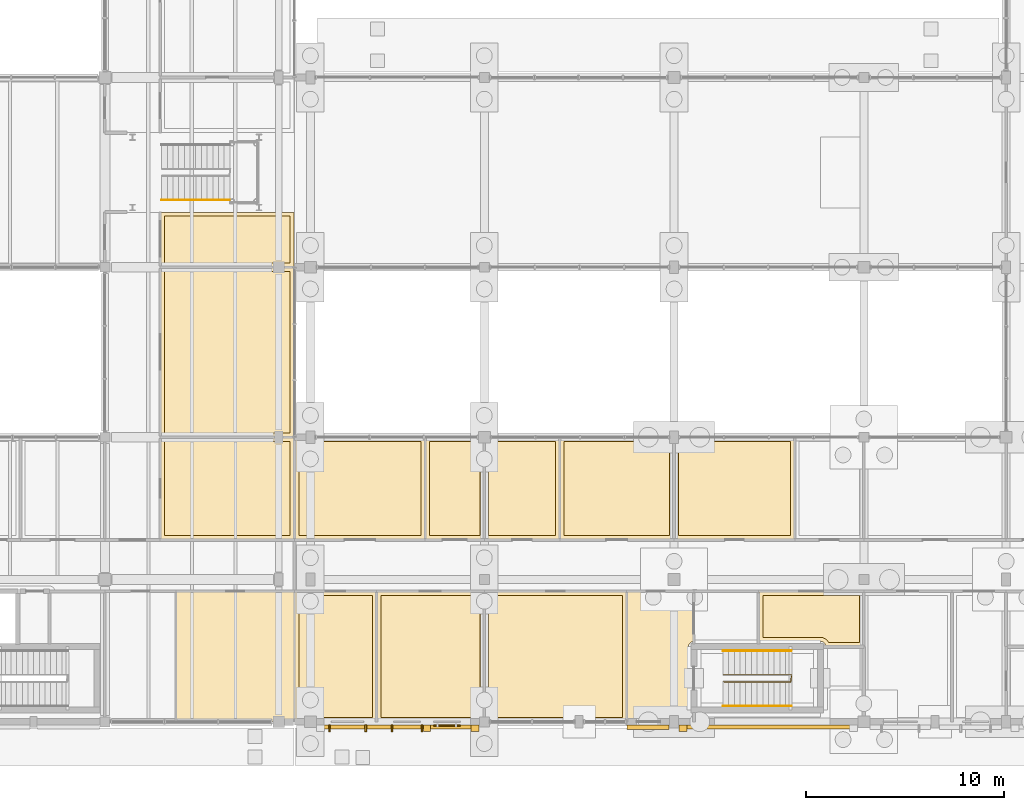
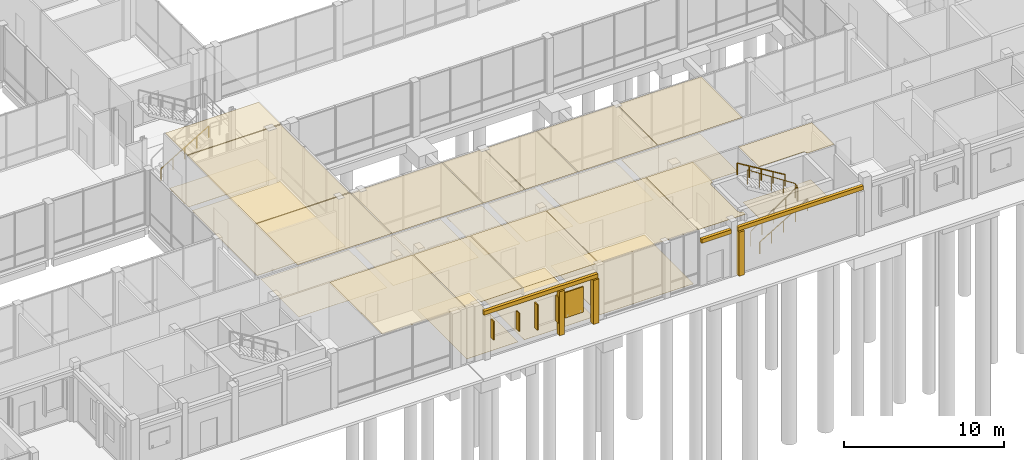
# One storey, part 97 of 104: 32 coverings, 5 shading devices, 4 railings.
"""IFC4 building model written with IfcOpenShell, lengths in metres."""

from ifc_helpers import new_model, si_unit, direction, frame, origin, origin_2d, place, context, subcontext, project, spatial, polyline, rectangle, circle, outline, extrude, material, layer, layer_set, type_object, element, save


model = new_model("IFC4")

# Units and contexts
model_context = context("Model", 3, precision=1e-05, world=origin(), true_north=direction((0.0, 1.0)))
body_context = subcontext(model_context, "Body", "Model", "MODEL_VIEW")
ifc_project = project(units=[si_unit("LENGTHUNIT", "METRE"), si_unit("AREAUNIT", "SQUARE_METRE"), si_unit("VOLUMEUNIT", "CUBIC_METRE"), si_unit("PLANEANGLEUNIT", "RADIAN"), si_unit("MASSUNIT", "GRAM", prefix="KILO")], contexts=[model_context])

# Site, building, storey
site_placement = place(None, origin())
site = spatial("IfcSite", under=ifc_project, at=site_placement, CompositionType="ELEMENT")
building_placement = place(site_placement, origin())
building = spatial("IfcBuilding", under=site, at=building_placement, Name="Hawrajan Terrace Health Centre", CompositionType="ELEMENT")
storey_placement = place(building_placement, origin())
storey = spatial("IfcBuildingStorey", under=building, at=storey_placement, Name="L00", CompositionType="ELEMENT", Elevation=0.0)

# Coverings
ifc_material_1 = material(Name="Precast concrete C40/50", Category="concrete")
ifc_layer_1 = layer(ifc_material_1, 0.219970703125)
ifc_layer_set_1 = layer_set([ifc_layer_1], Name="Precast concrete C40/50")
covering_type_1 = type_object("IfcCoveringType", Name="ArtDecoCorniceBand", PredefinedType="CLADDING", material=ifc_layer_set_1)
covering_1_placement = place(storey_placement, frame((77.02490234375, 3.93994140625, 3.3701171875), z_axis=(0.0, 0.0, 1.0), x_axis=(1.0, 0.0, 0.0)))
element("IfcCovering", 1, at=covering_1_placement, inside=storey, type_object=covering_type_1, Name="Art Deco limestone cornice band CRN-L00-0035", PredefinedType="CLADDING", context=body_context, shape_type="SweptSolid", body=[
    extrude(rectangle(XDim=8.2099609375, YDim=0.219970703125, at=origin_2d()), origin(), (0.0, 0.0, 1.0), 0.300048828125),
])
covering_2_placement = place(storey_placement, frame((89.6875, 3.929931640625, 3.3701171875), z_axis=(0.0, 0.0, 1.0), x_axis=(1.0, 0.0, 0.0)))
element("IfcCovering", 2, at=covering_2_placement, inside=storey, type_object=covering_type_1, Name="Art Deco limestone cornice band CRN-L00-0036", PredefinedType="CLADDING", context=body_context, shape_type="SweptSolid", body=[
    extrude(rectangle(XDim=2.135009765625, YDim=0.219970703125, at=origin_2d()), origin(), (0.0, 0.0, 1.0), 0.300048828125),
])
covering_3_placement = place(storey_placement, frame((95.762451171875, 3.93994140625, 3.3701171875), z_axis=(0.0, 0.0, 1.0), x_axis=(1.0, 0.0, 0.0)))
element("IfcCovering", 3, at=covering_3_placement, inside=storey, type_object=covering_type_1, Name="Art Deco limestone cornice band CRN-L00-0037", PredefinedType="CLADDING", context=body_context, shape_type="SweptSolid", body=[
    extrude(rectangle(XDim=9.034912109375, YDim=0.219970703125, at=origin_2d()), origin(), (0.0, 0.0, 1.0), 0.300048828125),
])
ifc_layer_2 = layer(ifc_material_1, 0.340087890625)
ifc_layer_set_2 = layer_set([ifc_layer_2], Name="Precast concrete C40/50")
covering_type_2 = type_object("IfcCoveringType", Name="ArtDecoStonePilaster", PredefinedType="CLADDING", material=ifc_layer_set_2)
covering_4_placement = place(storey_placement, frame((80.929931640625, 3.8798828125, 0.0), z_axis=(0.0, 0.0, 1.0), x_axis=(1.0, 0.0, 0.0)))
element("IfcCovering", 4, at=covering_4_placement, inside=storey, type_object=covering_type_2, Name="Art Deco fluted limestone pilaster FPIL-L00-0045", PredefinedType="CLADDING", context=body_context, shape_type="SweptSolid", body=[
    extrude(rectangle(XDim=0.39990234375, YDim=0.340087890625, at=origin_2d()), origin(), (0.0, 0.0, 1.0), 3.360107421875),
])
covering_5_placement = place(storey_placement, frame((78.489990234375, 3.8798828125, 0.0), z_axis=(0.0, 0.0, 1.0), x_axis=(1.0, 0.0, 0.0)))
element("IfcCovering", 5, at=covering_5_placement, inside=storey, type_object=covering_type_2, Name="Art Deco mullion pilaster FPIL-L00-0046", PredefinedType="CLADDING", context=body_context, shape_type="SweptSolid", body=[
    extrude(rectangle(XDim=0.360107421875, YDim=0.340087890625, at=origin_2d()), origin(), (0.0, 0.0, 1.0), 3.360107421875),
])
covering_6_placement = place(storey_placement, frame((91.445068359375, 3.8798828125, 0.0), z_axis=(0.0, 0.0, 1.0), x_axis=(1.0, 0.0, 0.0)))
element("IfcCovering", 6, at=covering_6_placement, inside=storey, type_object=covering_type_2, Name="Art Deco fluted limestone pilaster FPIL-L00-0047", PredefinedType="CLADDING", context=body_context, shape_type="SweptSolid", body=[
    extrude(rectangle(XDim=0.39990234375, YDim=0.340087890625, at=origin_2d()), origin(), (0.0, 0.0, 1.0), 3.360107421875),
])
ifc_material_2 = material(Name="Acoustic linear cedar-slat suspended ceiling")
ifc_layer_3 = layer(ifc_material_2, 0.034912109375)
ifc_layer_set_3 = layer_set([ifc_layer_3], Name="Acoustic linear cedar-slat suspended ceiling")
covering_type_3 = type_object("IfcCoveringType", Name="CedarSlatHallCeiling_35", PredefinedType="CEILING", material=ifc_layer_set_3)
covering_7_placement = place(storey_placement, frame((0.0, 0.0, 4.14501953125)))
element("IfcCovering", 7, at=covering_7_placement, inside=storey, type_object=covering_type_3, Name="Suspended ceiling L00-055", PredefinedType="CEILING", context=body_context, shape_type="SweptSolid", body=[
    extrude(outline(polyline([(65.02001953125, 27.179931640625), (71.77490234375, 27.179931640625), (71.77490234375, 18.6201171875), (65.02001953125, 18.6201171875), (65.02001953125, 27.179931640625)])), origin(), (0.0, 0.0, 1.0), 0.034912109375),
])
covering_8_placement = place(storey_placement, frame((0.0, 0.0, 4.14501953125)))
element("IfcCovering", 8, at=covering_8_placement, inside=storey, type_object=covering_type_3, Name="Suspended ceiling L00-056", PredefinedType="CEILING", context=body_context, shape_type="SweptSolid", body=[
    extrude(outline(polyline([(65.02001953125, 29.97998046875), (71.77490234375, 29.97998046875), (71.77490234375, 27.219970703125), (65.02001953125, 27.219970703125), (65.02001953125, 29.97998046875)])), origin(), (0.0, 0.0, 1.0), 0.034912109375),
])
ifc_material_3 = material(Name="Hygienic mineral-fibre acoustic tile ceiling")
ifc_layer_4 = layer(ifc_material_3, 0.02490234375)
ifc_layer_set_4 = layer_set([ifc_layer_4], Name="Hygienic mineral-fibre acoustic tile ceiling")
covering_type_4 = type_object("IfcCoveringType", Name="ClinicalAcousticCeiling_25", PredefinedType="CEILING", material=ifc_layer_set_4)
covering_9_placement = place(storey_placement, frame((0.0, 0.0, 4.155029296875)))
element("IfcCovering", 9, at=covering_9_placement, inside=storey, type_object=covering_type_4, Name="Suspended ceiling L00-033", PredefinedType="CEILING", context=body_context, shape_type="SweptSolid", body=[
    extrude(outline(polyline([(91.97998046875, 4.219970703125), (88.6201171875, 4.219970703125), (88.6201171875, 10.780029296875), (91.97998046875, 10.780029296875), (91.97998046875, 8.26904296875), (91.974609375, 8.268798828125), (91.97265625, 8.2685546875), (91.9482421875, 8.264892578125), (91.9462890625, 8.2646484375), (91.922607421875, 8.258544921875), (91.920654296875, 8.258056640625), (91.897705078125, 8.249755859375), (91.895751953125, 8.2490234375), (91.87353515625, 8.238525390625), (91.871826171875, 8.237548828125), (91.850830078125, 8.22509765625), (91.84912109375, 8.223876953125), (91.82958984375, 8.209228515625), (91.827880859375, 8.2080078125), (91.809814453125, 8.191650390625), (91.808349609375, 8.190185546875), (91.7919921875, 8.172119140625), (91.790771484375, 8.17041015625), (91.776123046875, 8.15087890625), (91.77490234375, 8.149169921875), (91.762451171875, 8.128173828125), (91.761474609375, 8.12646484375), (91.7509765625, 8.104248046875), (91.750244140625, 8.102294921875), (91.741943359375, 8.079345703125), (91.741455078125, 8.077392578125), (91.7353515625, 8.0537109375), (91.735107421875, 8.0517578125), (91.7314453125, 8.02734375), (91.731201171875, 8.025390625), (91.72998046875, 8.0009765625), (91.72998046875, 8.0), (91.72998046875, 4.800048828125), (91.72998046875, 4.799072265625), (91.731201171875, 4.7744140625), (91.7314453125, 4.772705078125), (91.735107421875, 4.748291015625), (91.7353515625, 4.746337890625), (91.741455078125, 4.72265625), (91.741943359375, 4.720703125), (91.750244140625, 4.697509765625), (91.7509765625, 4.69580078125), (91.761474609375, 4.673583984375), (91.762451171875, 4.671875), (91.77490234375, 4.65087890625), (91.776123046875, 4.649169921875), (91.790771484375, 4.62939453125), (91.7919921875, 4.6279296875), (91.808349609375, 4.60986328125), (91.809814453125, 4.6083984375), (91.827880859375, 4.591796875), (91.82958984375, 4.5908203125), (91.84912109375, 4.576171875), (91.850830078125, 4.574951171875), (91.871826171875, 4.5625), (91.87353515625, 4.561279296875), (91.895751953125, 4.551025390625), (91.897705078125, 4.55029296875), (91.920654296875, 4.5419921875), (91.922607421875, 4.54150390625), (91.9462890625, 4.535400390625), (91.9482421875, 4.534912109375), (91.97265625, 4.531494140625), (91.974609375, 4.53125), (91.97998046875, 4.531005859375), (91.97998046875, 4.219970703125)])), origin(), (0.0, 0.0, 1.0), 0.02490234375),
])
covering_10_placement = place(storey_placement, frame((0.0, 0.0, 4.155029296875)))
element("IfcCovering", 10, at=covering_10_placement, inside=storey, type_object=covering_type_4, Name="Suspended ceiling L00-046", PredefinedType="CEILING", context=body_context, shape_type="SweptSolid", body=[
    extrude(outline(polyline([(65.820068359375, 10.780029296875), (71.77490234375, 10.780029296875), (71.77490234375, 4.219970703125), (65.820068359375, 4.219970703125), (65.820068359375, 10.780029296875)])), origin(), (0.0, 0.0, 1.0), 0.02490234375),
])
covering_11_placement = place(storey_placement, frame((0.0, 0.0, 4.155029296875)))
element("IfcCovering", 11, at=covering_11_placement, inside=storey, type_object=covering_type_4, Name="Suspended ceiling L00-096", PredefinedType="CEILING", context=body_context, shape_type="SweptSolid", body=[
    extrude(outline(polyline([(65.02001953125, 18.580078125), (71.77490234375, 18.580078125), (71.77490234375, 13.419921875), (65.02001953125, 13.419921875), (65.02001953125, 18.580078125)])), origin(), (0.0, 0.0, 1.0), 0.02490234375),
])
covering_12_placement = place(storey_placement, frame((0.0, 0.0, 4.155029296875)))
element("IfcCovering", 12, at=covering_12_placement, inside=storey, type_object=covering_type_4, Name="Suspended ceiling L00-097", PredefinedType="CEILING", context=body_context, shape_type="SweptSolid", body=[
    extrude(outline(polyline([(71.824951171875, 10.780029296875), (75.929931640625, 10.780029296875), (75.929931640625, 4.219970703125), (71.824951171875, 4.219970703125), (71.824951171875, 10.780029296875)])), origin(), (0.0, 0.0, 1.0), 0.02490234375),
])
covering_13_placement = place(storey_placement, frame((0.0, 0.0, 4.155029296875)))
element("IfcCovering", 13, at=covering_13_placement, inside=storey, type_object=covering_type_4, Name="Suspended ceiling L00-098", PredefinedType="CEILING", context=body_context, shape_type="SweptSolid", body=[
    extrude(outline(polyline([(75.969970703125, 10.780029296875), (81.3798828125, 10.780029296875), (81.3798828125, 4.219970703125), (75.969970703125, 4.219970703125), (75.969970703125, 10.780029296875)])), origin(), (0.0, 0.0, 1.0), 0.02490234375),
])
covering_14_placement = place(storey_placement, frame((0.0, 0.0, 4.155029296875)))
element("IfcCovering", 14, at=covering_14_placement, inside=storey, type_object=covering_type_4, Name="Suspended ceiling L00-099", PredefinedType="CEILING", context=body_context, shape_type="SweptSolid", body=[
    extrude(outline(polyline([(71.824951171875, 18.580078125), (78.386474609375, 18.580078125), (78.386474609375, 13.419921875), (71.824951171875, 13.419921875), (71.824951171875, 18.580078125)])), origin(), (0.0, 0.0, 1.0), 0.02490234375),
])
covering_15_placement = place(storey_placement, frame((0.0, 0.0, 4.155029296875)))
element("IfcCovering", 15, at=covering_15_placement, inside=storey, type_object=covering_type_4, Name="Suspended ceiling L00-100", PredefinedType="CEILING", context=body_context, shape_type="SweptSolid", body=[
    extrude(outline(polyline([(78.426513671875, 18.580078125), (81.3798828125, 18.580078125), (81.3798828125, 13.419921875), (78.426513671875, 13.419921875), (78.426513671875, 18.580078125)])), origin(), (0.0, 0.0, 1.0), 0.02490234375),
])
covering_16_placement = place(storey_placement, frame((0.0, 0.0, 4.155029296875)))
element("IfcCovering", 16, at=covering_16_placement, inside=storey, type_object=covering_type_4, Name="Suspended ceiling L00-101", PredefinedType="CEILING", context=body_context, shape_type="SweptSolid", body=[
    extrude(outline(polyline([(81.419921875, 10.780029296875), (88.580078125, 10.780029296875), (88.580078125, 4.219970703125), (81.419921875, 4.219970703125), (81.419921875, 10.780029296875)])), origin(), (0.0, 0.0, 1.0), 0.02490234375),
])
covering_17_placement = place(storey_placement, frame((0.0, 0.0, 4.155029296875)))
element("IfcCovering", 17, at=covering_17_placement, inside=storey, type_object=covering_type_4, Name="Suspended ceiling L00-102", PredefinedType="CEILING", context=body_context, shape_type="SweptSolid", body=[
    extrude(outline(polyline([(81.419921875, 18.580078125), (85.20068359375, 18.580078125), (85.20068359375, 13.419921875), (81.419921875, 13.419921875), (81.419921875, 18.580078125)])), origin(), (0.0, 0.0, 1.0), 0.02490234375),
])
covering_18_placement = place(storey_placement, frame((0.0, 0.0, 4.155029296875)))
element("IfcCovering", 18, at=covering_18_placement, inside=storey, type_object=covering_type_4, Name="Suspended ceiling L00-103", PredefinedType="CEILING", context=body_context, shape_type="SweptSolid", body=[
    extrude(outline(polyline([(85.24072265625, 18.580078125), (90.97998046875, 18.580078125), (90.97998046875, 13.419921875), (85.24072265625, 13.419921875), (85.24072265625, 18.580078125)])), origin(), (0.0, 0.0, 1.0), 0.02490234375),
])
covering_19_placement = place(storey_placement, frame((0.0, 0.0, 4.155029296875)))
element("IfcCovering", 19, at=covering_19_placement, inside=storey, type_object=covering_type_4, Name="Suspended ceiling L00-105", PredefinedType="CEILING", context=body_context, shape_type="SweptSolid", body=[
    extrude(outline(polyline([(95.296630859375, 10.780029296875), (100.580078125, 10.780029296875), (100.580078125, 8.02001953125), (98.6689453125, 8.02001953125), (98.668701171875, 8.025390625), (98.668701171875, 8.02734375), (98.6650390625, 8.0517578125), (98.66455078125, 8.0537109375), (98.65869140625, 8.077392578125), (98.658203125, 8.079345703125), (98.64990234375, 8.102294921875), (98.64892578125, 8.104248046875), (98.638671875, 8.12646484375), (98.6376953125, 8.128173828125), (98.625, 8.149169921875), (98.623779296875, 8.15087890625), (98.609375, 8.17041015625), (98.608154296875, 8.172119140625), (98.591552734375, 8.190185546875), (98.590087890625, 8.191650390625), (98.572021484375, 8.2080078125), (98.570556640625, 8.209228515625), (98.55078125, 8.223876953125), (98.54931640625, 8.22509765625), (98.528076171875, 8.237548828125), (98.5263671875, 8.238525390625), (98.504150390625, 8.2490234375), (98.50244140625, 8.249755859375), (98.479248046875, 8.258056640625), (98.477294921875, 8.258544921875), (98.45361328125, 8.2646484375), (98.45166015625, 8.264892578125), (98.427490234375, 8.2685546875), (98.425537109375, 8.268798828125), (98.40087890625, 8.27001953125), (98.39990234375, 8.27001953125), (95.296630859375, 8.27001953125), (95.296630859375, 10.780029296875)])), origin(), (0.0, 0.0, 1.0), 0.02490234375),
])
covering_20_placement = place(storey_placement, frame((0.0, 0.0, 4.155029296875)))
element("IfcCovering", 20, at=covering_20_placement, inside=storey, type_object=covering_type_4, Name="Suspended ceiling L00-106", PredefinedType="CEILING", context=body_context, shape_type="SweptSolid", body=[
    extrude(outline(polyline([(91.02001953125, 18.580078125), (97.085693359375, 18.580078125), (97.085693359375, 13.419921875), (91.02001953125, 13.419921875), (91.02001953125, 18.580078125)])), origin(), (0.0, 0.0, 1.0), 0.02490234375),
])
ifc_material_4 = material(Name="Seamless medical-grade cushioned vinyl flooring")
ifc_layer_5 = layer(ifc_material_4, 0.011962890625)
ifc_layer_set_5 = layer_set([ifc_layer_5], Name="Seamless medical-grade cushioned vinyl flooring")
covering_type_5 = type_object("IfcCoveringType", Name="ClinicalVinylFlooring_12", PredefinedType="FLOORING", material=ifc_layer_set_5)
covering_21_placement = place(storey_placement, origin())
element("IfcCovering", 21, at=covering_21_placement, inside=storey, type_object=covering_type_5, Name="Floor finish L00-096", PredefinedType="FLOORING", context=body_context, shape_type="SweptSolid", body=[
    extrude(outline(polyline([(65.219970703125, 18.3798828125), (71.574951171875, 18.3798828125), (71.574951171875, 13.6201171875), (65.219970703125, 13.6201171875), (65.219970703125, 18.3798828125)])), origin(), (0.0, 0.0, 1.0), 0.011962890625),
])
covering_22_placement = place(storey_placement, origin())
element("IfcCovering", 22, at=covering_22_placement, inside=storey, type_object=covering_type_5, Name="Floor finish L00-097", PredefinedType="FLOORING", context=body_context, shape_type="SweptSolid", body=[
    extrude(outline(polyline([(72.02490234375, 10.580078125), (75.72998046875, 10.580078125), (75.72998046875, 4.419921875), (72.02490234375, 4.419921875), (72.02490234375, 10.580078125)])), origin(), (0.0, 0.0, 1.0), 0.011962890625),
])
covering_23_placement = place(storey_placement, origin())
element("IfcCovering", 23, at=covering_23_placement, inside=storey, type_object=covering_type_5, Name="Floor finish L00-098", PredefinedType="FLOORING", context=body_context, shape_type="SweptSolid", body=[
    extrude(outline(polyline([(76.169921875, 10.580078125), (81.179931640625, 10.580078125), (81.179931640625, 4.419921875), (76.169921875, 4.419921875), (76.169921875, 10.580078125)])), origin(), (0.0, 0.0, 1.0), 0.011962890625),
])
covering_24_placement = place(storey_placement, origin())
element("IfcCovering", 24, at=covering_24_placement, inside=storey, type_object=covering_type_5, Name="Floor finish L00-099", PredefinedType="FLOORING", context=body_context, shape_type="SweptSolid", body=[
    extrude(outline(polyline([(72.02490234375, 18.3798828125), (78.186279296875, 18.3798828125), (78.186279296875, 13.6201171875), (72.02490234375, 13.6201171875), (72.02490234375, 18.3798828125)])), origin(), (0.0, 0.0, 1.0), 0.011962890625),
])
covering_25_placement = place(storey_placement, origin())
element("IfcCovering", 25, at=covering_25_placement, inside=storey, type_object=covering_type_5, Name="Floor finish L00-100", PredefinedType="FLOORING", context=body_context, shape_type="SweptSolid", body=[
    extrude(outline(polyline([(78.62646484375, 18.3798828125), (81.179931640625, 18.3798828125), (81.179931640625, 13.6201171875), (78.62646484375, 13.6201171875), (78.62646484375, 18.3798828125)])), origin(), (0.0, 0.0, 1.0), 0.011962890625),
])
covering_26_placement = place(storey_placement, origin())
element("IfcCovering", 26, at=covering_26_placement, inside=storey, type_object=covering_type_5, Name="Floor finish L00-101", PredefinedType="FLOORING", context=body_context, shape_type="SweptSolid", body=[
    extrude(outline(polyline([(81.6201171875, 10.580078125), (88.3798828125, 10.580078125), (88.3798828125, 4.419921875), (81.6201171875, 4.419921875), (81.6201171875, 10.580078125)])), origin(), (0.0, 0.0, 1.0), 0.011962890625),
])
covering_27_placement = place(storey_placement, origin())
element("IfcCovering", 27, at=covering_27_placement, inside=storey, type_object=covering_type_5, Name="Floor finish L00-102", PredefinedType="FLOORING", context=body_context, shape_type="SweptSolid", body=[
    extrude(outline(polyline([(81.6201171875, 18.3798828125), (85.000732421875, 18.3798828125), (85.000732421875, 13.6201171875), (81.6201171875, 13.6201171875), (81.6201171875, 18.3798828125)])), origin(), (0.0, 0.0, 1.0), 0.011962890625),
])
covering_28_placement = place(storey_placement, origin())
element("IfcCovering", 28, at=covering_28_placement, inside=storey, type_object=covering_type_5, Name="Floor finish L00-103", PredefinedType="FLOORING", context=body_context, shape_type="SweptSolid", body=[
    extrude(outline(polyline([(85.44091796875, 18.3798828125), (90.780029296875, 18.3798828125), (90.780029296875, 13.6201171875), (85.44091796875, 13.6201171875), (85.44091796875, 18.3798828125)])), origin(), (0.0, 0.0, 1.0), 0.011962890625),
])
covering_29_placement = place(storey_placement, origin())
element("IfcCovering", 29, at=covering_29_placement, inside=storey, type_object=covering_type_5, Name="Floor finish L00-105", PredefinedType="FLOORING", context=body_context, shape_type="SweptSolid", body=[
    extrude(outline(polyline([(95.49658203125, 10.580078125), (100.3798828125, 10.580078125), (100.3798828125, 8.219970703125), (98.815185546875, 8.219970703125), (98.81494140625, 8.220703125), (98.81396484375, 8.222412109375), (98.80908203125, 8.23095703125), (98.796630859375, 8.251953125), (98.791259765625, 8.26025390625), (98.790283203125, 8.261962890625), (98.78466796875, 8.27001953125), (98.77001953125, 8.289794921875), (98.763916015625, 8.29736328125), (98.7626953125, 8.298828125), (98.75634765625, 8.306396484375), (98.73974609375, 8.324462890625), (98.73291015625, 8.33154296875), (98.731689453125, 8.3330078125), (98.724609375, 8.33984375), (98.706298828125, 8.356201171875), (98.698974609375, 8.36279296875), (98.697509765625, 8.364013671875), (98.689697265625, 8.3701171875), (98.669921875, 8.384521484375), (98.661865234375, 8.39013671875), (98.660400390625, 8.391357421875), (98.652099609375, 8.396484375), (98.631103515625, 8.4091796875), (98.622314453125, 8.4140625), (98.62060546875, 8.414794921875), (98.61181640625, 8.41943359375), (98.589599609375, 8.4296875), (98.580810546875, 8.433837890625), (98.578857421875, 8.4345703125), (98.56982421875, 8.43798828125), (98.546630859375, 8.4462890625), (98.537353515625, 8.449462890625), (98.535400390625, 8.449951171875), (98.52587890625, 8.45263671875), (98.502197265625, 8.45849609375), (98.49267578125, 8.460693359375), (98.49072265625, 8.461181640625), (98.481201171875, 8.462890625), (98.456787109375, 8.46630859375), (98.447021484375, 8.467529296875), (98.445068359375, 8.4677734375), (98.435302734375, 8.468505859375), (98.410888671875, 8.4697265625), (98.406005859375, 8.469970703125), (98.40478515625, 8.469970703125), (98.39990234375, 8.469970703125), (95.49658203125, 8.469970703125), (95.49658203125, 10.580078125)])), origin(), (0.0, 0.0, 1.0), 0.011962890625),
])
covering_30_placement = place(storey_placement, origin())
element("IfcCovering", 30, at=covering_30_placement, inside=storey, type_object=covering_type_5, Name="Floor finish L00-106", PredefinedType="FLOORING", context=body_context, shape_type="SweptSolid", body=[
    extrude(outline(polyline([(91.219970703125, 18.3798828125), (96.885498046875, 18.3798828125), (96.885498046875, 13.6201171875), (91.219970703125, 13.6201171875), (91.219970703125, 18.3798828125)])), origin(), (0.0, 0.0, 1.0), 0.011962890625),
])

# Shading devices
ifc_material_5 = material(Name="Anodized bronze mashrabiya vertical solar fin")
ifc_layer_6 = layer(ifc_material_5, 0.080078125)
ifc_layer_set_6 = layer_set([ifc_layer_6], Name="Anodized bronze mashrabiya vertical solar fin")
shading_device_type_1 = type_object("IfcShadingDeviceType", Name="MashrabiyaVerticalFin", PredefinedType="USERDEFINED", material=ifc_layer_set_6)
for number, where, z_axis, x_axis, name in (
    (31, (73.570068359375, 3.8701171875, 1.35009765625), (0.0, 0.0, 1.0), (1.0, 0.0, 0.0), "Bronze mashrabiya solar fin FIN-L00-0033"),
    (32, (75.39990234375, 3.8701171875, 1.35009765625), (0.0, 0.0, 1.0), (1.0, 0.0, 0.0), "Bronze mashrabiya solar fin FIN-L00-0034"),
):
    element("IfcShadingDevice", number, at=place(storey_placement, frame(where, z_axis=z_axis, x_axis=x_axis)), inside=storey, type_object=shading_device_type_1, Name=name, ObjectType="SOLAR_FIN", PredefinedType="USERDEFINED", context=body_context, shape_type="SweptSolid", body=[
        extrude(rectangle(XDim=0.080078125, YDim=0.360107421875, at=origin_2d()), origin(), (0.0, 0.0, 1.0), 1.39990234375),
    ])
for number, where, z_axis, x_axis, name in (
    (33, (76.719970703125, 3.8701171875, 1.0), (0.0, 0.0, 1.0), (1.0, 0.0, 0.0), "Bronze mashrabiya solar fin FIN-L00-0035"),
    (34, (78.239990234375, 3.8701171875, 1.0), (0.0, 0.0, 1.0), (1.0, 0.0, 0.0), "Bronze mashrabiya solar fin FIN-L00-0036"),
):
    element("IfcShadingDevice", number, at=place(storey_placement, frame(where, z_axis=z_axis, x_axis=x_axis)), inside=storey, type_object=shading_device_type_1, Name=name, ObjectType="SOLAR_FIN", PredefinedType="USERDEFINED", context=body_context, shape_type="SweptSolid", body=[
        extrude(rectangle(XDim=0.080078125, YDim=0.360107421875, at=origin_2d()), origin(), (0.0, 0.0, 1.0), 1.949951171875),
    ])
ifc_material_6 = material(Name="Anodized bronze and cedar roshan lattice")
ifc_layer_7 = layer(ifc_material_6, 0.080078125)
ifc_layer_set_7 = layer_set([ifc_layer_7], Name="Anodized bronze and cedar roshan lattice")
shading_device_type_2 = type_object("IfcShadingDeviceType", Name="RoshanScreen_BronzeCedar", PredefinedType="JALOUSIE", material=ifc_layer_set_7)
shading_device_placement = place(storey_placement, frame((79.5, 4.0048828125, 1.0), z_axis=(0.0, 0.0, 1.0), x_axis=(1.0, 0.0, 0.0)))
element("IfcShadingDevice", 35, at=shading_device_placement, inside=storey, type_object=shading_device_type_2, Name="Hijazi roshan solar screen RSH-L00-037", PredefinedType="JALOUSIE", context=body_context, shape_type="SweptSolid", body=[
    extrude(rectangle(XDim=1.340087890625, YDim=0.080078125, at=origin_2d()), origin(), (0.0, 0.0, 1.0), 1.949951171875),
])

# Railings
ifc_material_7 = material(Name="Brushed stainless steel tubular handrail", Category="steel")
railing_type_1 = type_object("IfcRailingType", Name="StairHandrail_900", PredefinedType="HANDRAIL", material=ifc_material_7)
railing_1_placement = place(storey_placement, frame((93.47509765625, 5.0, 0.173095703125)))
element("IfcRailing", 36, at=railing_1_placement, inside=storey, type_object=railing_type_1, Name="Stair handrail ST-5-L00-H1", PredefinedType="HANDRAIL", context=body_context, shape_type="SweptSolid", body=[
    extrude(circle(Radius=0.02392578125, at=origin_2d()), frame((0.024658203125, 0.0, 0.890625), z_axis=(0.856732359591, 0.0, 0.515761247119), x_axis=(0.0, 1.0, 0.0)), (0.0, 0.0, 1.0), 3.96923828125),
    extrude(circle(Radius=0.02099609375, at=origin_2d()), origin(), (0.0, 0.0, 1.0), 0.846923828125),
    extrude(circle(Radius=0.02099609375, at=origin_2d()), frame((0.862548828125, 0.0, 0.519287109375)), (0.0, 0.0, 1.0), 0.846923828125),
    extrude(circle(Radius=0.02099609375, at=origin_2d()), frame((1.72509765625, 0.0, 1.03857421875)), (0.0, 0.0, 1.0), 0.846923828125),
    extrude(circle(Radius=0.02099609375, at=origin_2d()), frame((2.58740234375, 0.0, 1.5576171875)), (0.0, 0.0, 1.0), 0.846923828125),
    extrude(circle(Radius=0.02099609375, at=origin_2d()), frame((3.449951171875, 0.0, 2.076904296875)), (0.0, 0.0, 1.0), 0.846923828125),
])
railing_2_placement = place(storey_placement, frame((96.925048828125, 7.800048828125, 2.423095703125)))
element("IfcRailing", 37, at=railing_2_placement, inside=storey, type_object=railing_type_1, Name="Stair handrail ST-5-L00-H2", PredefinedType="HANDRAIL", context=body_context, shape_type="SweptSolid", body=[
    extrude(circle(Radius=0.02392578125, at=origin_2d()), frame((-0.024658203125, 0.0, 0.890625), z_axis=(-0.856732359591, 0.0, 0.515761247119), x_axis=(0.0, -1.0, 0.0)), (0.0, 0.0, 1.0), 3.96923828125),
    extrude(circle(Radius=0.02099609375, at=origin_2d()), origin(), (0.0, 0.0, 1.0), 0.846923828125),
    extrude(circle(Radius=0.02099609375, at=origin_2d()), frame((-0.862548828125, 0.0, 0.519287109375)), (0.0, 0.0, 1.0), 0.846923828125),
    extrude(circle(Radius=0.02099609375, at=origin_2d()), frame((-1.72509765625, 0.0, 1.03857421875)), (0.0, 0.0, 1.0), 0.846923828125),
    extrude(circle(Radius=0.02099609375, at=origin_2d()), frame((-2.58740234375, 0.0, 1.5576171875)), (0.0, 0.0, 1.0), 0.846923828125),
    extrude(circle(Radius=0.02099609375, at=origin_2d()), frame((-3.449951171875, 0.0, 2.076904296875)), (0.0, 0.0, 1.0), 0.846923828125),
])
railing_3_placement = place(storey_placement, frame((65.074951171875, 30.60009765625, 0.173095703125)))
element("IfcRailing", 38, at=railing_3_placement, inside=storey, type_object=railing_type_1, Name="Stair handrail ST-10-L00-H1", PredefinedType="HANDRAIL", context=body_context, shape_type="SweptSolid", body=[
    extrude(circle(Radius=0.02392578125, at=origin_2d()), frame((0.024658203125, 0.0, 0.890625), z_axis=(0.856732359591, 0.0, 0.515761247119), x_axis=(0.0, 1.0, 0.0)), (0.0, 0.0, 1.0), 3.96923828125),
    extrude(circle(Radius=0.02099609375, at=origin_2d()), origin(), (0.0, 0.0, 1.0), 0.846923828125),
    extrude(circle(Radius=0.02099609375, at=origin_2d()), frame((0.862548828125, 0.0, 0.519287109375)), (0.0, 0.0, 1.0), 0.846923828125),
    extrude(circle(Radius=0.02099609375, at=origin_2d()), frame((1.72509765625, 0.0, 1.03857421875)), (0.0, 0.0, 1.0), 0.846923828125),
    extrude(circle(Radius=0.02099609375, at=origin_2d()), frame((2.58740234375, 0.0, 1.5576171875)), (0.0, 0.0, 1.0), 0.846923828125),
    extrude(circle(Radius=0.02099609375, at=origin_2d()), frame((3.449951171875, 0.0, 2.076904296875)), (0.0, 0.0, 1.0), 0.846923828125),
])
ifc_material_8 = material(Name="Painted steel stair well guard", Category="steel")
railing_type_2 = type_object("IfcRailingType", Name="StairWellGuard_1120", PredefinedType="GUARDRAIL", material=ifc_material_8)
railing_4_placement = place(storey_placement, frame((93.5, 6.219970703125, 0.0)))
element("IfcRailing", 39, at=railing_4_placement, inside=storey, type_object=railing_type_2, Name="Stair well guard ST-5-L00-G1", PredefinedType="GUARDRAIL", context=body_context, shape_type="SweptSolid", body=[
    extrude(circle(Radius=0.02392578125, at=origin_2d()), frame((0.024169921875, 0.0, 1.112060546875), z_axis=(0.833924910587, 0.0, 0.551877924456), x_axis=(0.0, 1.0, 0.0)), (0.0, 0.0, 1.0), 4.019287109375),
    extrude(circle(Radius=0.02392578125, at=origin_2d()), frame((3.40380859375, 0.028564453125, 3.34619140625), z_axis=(0.137659871128, 0.990479560557, 0.0), x_axis=(-0.990479560557, 0.137659871128, 0.0)), (0.0, 0.0, 1.0), 0.305908203125),
    extrude(circle(Radius=0.02392578125, at=origin_2d()), frame((3.42578125, 0.360107421875, 3.36181640625), z_axis=(-0.837607059222, 0.0, 0.546273204854), x_axis=(0.0, -1.0, 0.0)), (0.0, 0.0, 1.0), 4.06103515625),
    extrude(circle(Radius=0.02099609375, at=origin_2d()), origin(), (0.0, 0.0, 1.0), 1.067138671875),
    extrude(circle(Radius=0.02099609375, at=origin_2d()), frame((0.85009765625, 0.0, 0.5625)), (0.0, 0.0, 1.0), 1.067138671875),
    extrude(circle(Radius=0.02099609375, at=origin_2d()), frame((1.699951171875, 0.0, 1.125)), (0.0, 0.0, 1.0), 1.067138671875),
    extrude(circle(Radius=0.02099609375, at=origin_2d()), frame((2.5498046875, 0.0, 1.6875)), (0.0, 0.0, 1.0), 1.067138671875),
    extrude(circle(Radius=0.02099609375, at=origin_2d()), frame((3.39990234375, 0.0, 2.25)), (0.0, 0.0, 1.0), 1.067138671875),
    extrude(circle(Radius=0.02099609375, at=origin_2d()), frame((3.449951171875, 0.360107421875, 2.25)), (0.0, 0.0, 1.0), 1.067138671875),
    extrude(circle(Radius=0.02099609375, at=origin_2d()), frame((2.58740234375, 0.360107421875, 2.8125)), (0.0, 0.0, 1.0), 1.067138671875),
    extrude(circle(Radius=0.02099609375, at=origin_2d()), frame((1.72509765625, 0.360107421875, 3.375)), (0.0, 0.0, 1.0), 1.067138671875),
    extrude(circle(Radius=0.02099609375, at=origin_2d()), frame((0.862548828125, 0.360107421875, 3.9375)), (0.0, 0.0, 1.0), 1.067138671875),
    extrude(circle(Radius=0.02099609375, at=origin_2d()), frame((0.0, 0.360107421875, 4.5)), (0.0, 0.0, 1.0), 1.067138671875),
])

# Coverings
ifc_material_9 = material(Name="Polished coral-aggregate terrazzo flooring")
ifc_layer_8 = layer(ifc_material_9, 0.02001953125)
ifc_layer_set_8 = layer_set([ifc_layer_8], Name="Polished coral-aggregate terrazzo flooring")
covering_type_6 = type_object("IfcCoveringType", Name="TerrazzoHallFlooring_20", PredefinedType="FLOORING", material=ifc_layer_set_8)
covering_31_placement = place(storey_placement, origin())
element("IfcCovering", 40, at=covering_31_placement, inside=storey, type_object=covering_type_6, Name="Floor finish L00-055", PredefinedType="FLOORING", context=body_context, shape_type="SweptSolid", body=[
    extrude(outline(polyline([(65.219970703125, 26.97998046875), (71.574951171875, 26.97998046875), (71.574951171875, 18.820068359375), (65.219970703125, 18.820068359375), (65.219970703125, 26.97998046875)])), origin(), (0.0, 0.0, 1.0), 0.02001953125),
])
covering_32_placement = place(storey_placement, origin())
element("IfcCovering", 41, at=covering_32_placement, inside=storey, type_object=covering_type_6, Name="Floor finish L00-056", PredefinedType="FLOORING", context=body_context, shape_type="SweptSolid", body=[
    extrude(outline(polyline([(65.219970703125, 29.780029296875), (71.574951171875, 29.780029296875), (71.574951171875, 27.419921875), (65.219970703125, 27.419921875), (65.219970703125, 29.780029296875)])), origin(), (0.0, 0.0, 1.0), 0.02001953125),
])

save(model, "model.ifc")
